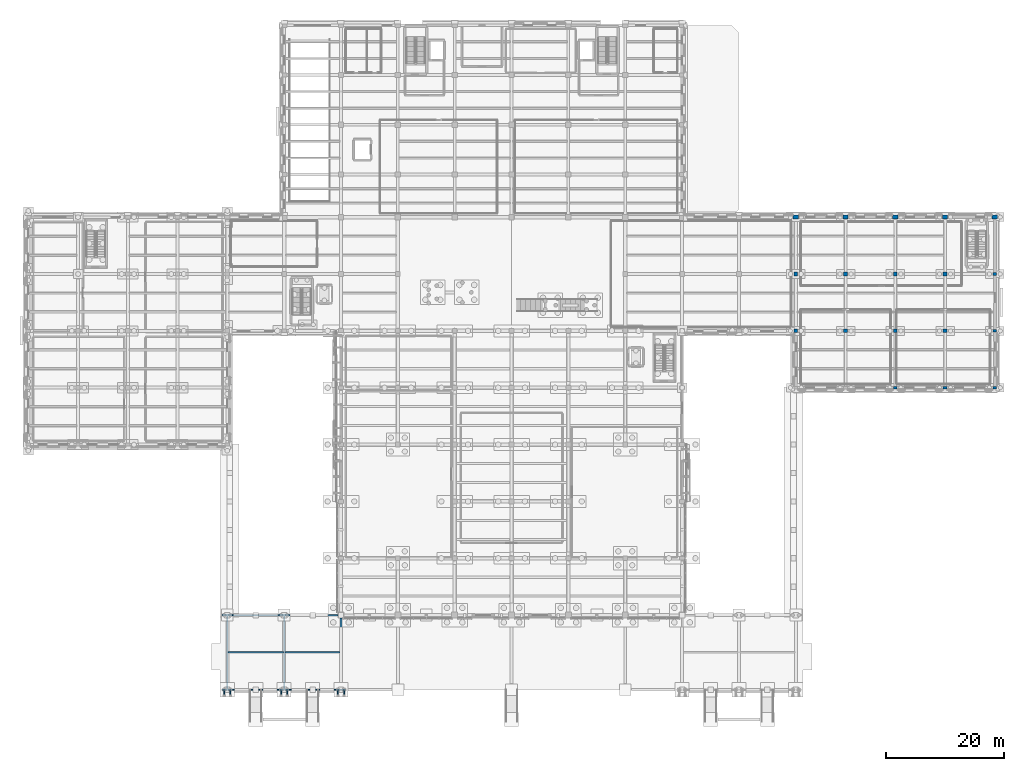
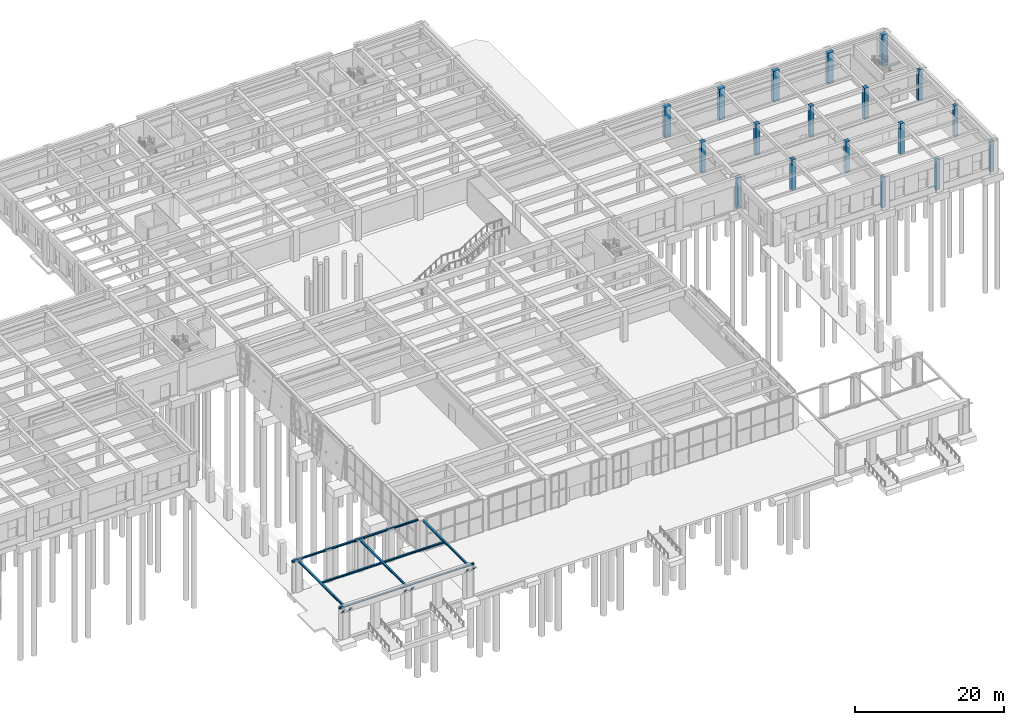
# One storey, part 11 of 51: 18 columns, 14 beams, 6 members.
"""IFC4 building model written with IfcOpenShell, lengths in metres."""

from ifc_helpers import new_model, si_unit, direction, frame, origin, origin_2d, place, context, subcontext, project, spatial, rectangle, hollow_circle, i_section, extrude, material, material_profile, profile_set, type_object, element, save


model = new_model("IFC4")

# Units and contexts
model_context = context("Model", 3, precision=1e-05, world=origin(), true_north=direction((0.0, 1.0)))
body_context = subcontext(model_context, "Body", "Model", "MODEL_VIEW")
ifc_project = project(units=[si_unit("LENGTHUNIT", "METRE"), si_unit("AREAUNIT", "SQUARE_METRE"), si_unit("VOLUMEUNIT", "CUBIC_METRE"), si_unit("PLANEANGLEUNIT", "RADIAN"), si_unit("MASSUNIT", "GRAM", prefix="KILO")], contexts=[model_context])

# Site, building, storey
site_placement = place(None, origin())
site = spatial("IfcSite", under=ifc_project, at=site_placement, CompositionType="ELEMENT")
building_placement = place(site_placement, origin())
building = spatial("IfcBuilding", under=site, at=building_placement, Name="Bempovik Park Faculty of Sciences", CompositionType="ELEMENT")
storey_placement = place(building_placement, origin())
storey = spatial("IfcBuildingStorey", under=building, at=storey_placement, Name="L00", CompositionType="ELEMENT", Elevation=0.0)

# Columns
ifc_material_1 = material(Name="Concrete C40/50", Category="concrete")
ifc_material_profile_1 = material_profile(ifc_material_1, rectangle(XDim=0.89990234375, YDim=0.699951171875, at=origin_2d()), Name="RC 900x700")
ifc_profile_set_1 = profile_set([ifc_material_profile_1], Name="Concrete C40/50")
column_type_1 = type_object("IfcColumnType", Name="C-25 RC 900x700", PredefinedType="COLUMN", material=ifc_profile_set_1)
for number, where, z_axis, x_axis, name in (
    (1, (136.800048828125, 87.0, 0.0), (0.0, 0.0, 1.0), (1.0, 0.0, 0.0), "L00 Structural Column (136.8,87.0)"),
    (2, (145.199951171875, 87.0, 0.0), (0.0, 0.0, 1.0), (1.0, 0.0, 0.0), "L00 Structural Column (145.2,87.0)"),
    (3, (153.60009765625, 87.0, 0.0), (0.0, 0.0, 1.0), (1.0, 0.0, 0.0), "L00 Structural Column (153.6,87.0)"),
    (4, (162.0, 87.0, 0.0), (0.0, 0.0, 1.0), (1.0, 0.0, 0.0), "L00 Structural Column (162.0,87.0)"),
    (5, (170.39990234375, 87.0, 0.0), (0.0, 0.0, 1.0), (1.0, 0.0, 0.0), "L00 Structural Column (170.4,87.0)"),
):
    element("IfcColumn", number, at=place(storey_placement, frame(where, z_axis=z_axis, x_axis=x_axis)), inside=storey, type_object=column_type_1, Name=name, PredefinedType="COLUMN", context=body_context, shape_type="SweptSolid", body=[
        extrude(rectangle(XDim=0.89990234375, YDim=0.699951171875, at=origin_2d()), origin(), (0.0, 0.0, 1.0), 5.080078125),
    ])
ifc_material_2 = material(Name="Concrete C35/45", Category="concrete")
ifc_material_profile_2 = material_profile(ifc_material_2, rectangle(XDim=0.6201171875, YDim=0.6201171875, at=origin_2d()), Name="RC 620x620")
ifc_profile_set_2 = profile_set([ifc_material_profile_2], Name="Concrete C35/45")
column_type_2 = type_object("IfcColumnType", Name="C-31 RC 620x620", PredefinedType="COLUMN", material=ifc_profile_set_2)
for number, where, z_axis, x_axis, name in (
    (6, (136.800048828125, 67.800048828125, 0.0), (0.0, 0.0, 1.0), (1.0, 0.0, 0.0), "L00 Structural Column (136.8,67.8)"),
    (7, (136.800048828125, 77.39990234375, 0.0), (0.0, 0.0, 1.0), (1.0, 0.0, 0.0), "L00 Structural Column (136.8,77.4)"),
    (8, (145.199951171875, 67.800048828125, 0.0), (0.0, 0.0, 1.0), (1.0, 0.0, 0.0), "L00 Structural Column (145.2,67.8)"),
    (9, (145.199951171875, 77.39990234375, 0.0), (0.0, 0.0, 1.0), (1.0, 0.0, 0.0), "L00 Structural Column (145.2,77.4)"),
    (10, (153.60009765625, 67.800048828125, 0.0), (0.0, 0.0, 1.0), (1.0, 0.0, 0.0), "L00 Structural Column (153.6,67.8)"),
    (11, (153.60009765625, 77.39990234375, 0.0), (0.0, 0.0, 1.0), (1.0, 0.0, 0.0), "L00 Structural Column (153.6,77.4)"),
    (12, (162.0, 67.800048828125, 0.0), (0.0, 0.0, 1.0), (1.0, 0.0, 0.0), "L00 Structural Column (162.0,67.8)"),
    (13, (162.0, 77.39990234375, 0.0), (0.0, 0.0, 1.0), (1.0, 0.0, 0.0), "L00 Structural Column (162.0,77.4)"),
):
    element("IfcColumn", number, at=place(storey_placement, frame(where, z_axis=z_axis, x_axis=x_axis)), inside=storey, type_object=column_type_2, Name=name, PredefinedType="COLUMN", context=body_context, shape_type="SweptSolid", body=[
        extrude(rectangle(XDim=0.6201171875, YDim=0.6201171875, at=origin_2d()), origin(), (0.0, 0.0, 1.0), 5.080078125),
    ])
ifc_material_profile_3 = material_profile(ifc_material_2, rectangle(XDim=0.6201171875, YDim=0.4599609375, at=origin_2d()), Name="RC 620x460")
ifc_profile_set_3 = profile_set([ifc_material_profile_3], Name="Concrete C35/45")
column_type_3 = type_object("IfcColumnType", Name="C-59 RC 620x460", PredefinedType="COLUMN", material=ifc_profile_set_3)
for number, where, z_axis, x_axis, name in (
    (14, (153.60009765625, 58.199951171875, 0.0), (0.0, 0.0, 1.0), (1.0, 0.0, 0.0), "L00 Structural Column (153.6,58.2)"),
    (15, (162.0, 58.199951171875, 0.0), (0.0, 0.0, 1.0), (1.0, 0.0, 0.0), "L00 Structural Column (162.0,58.2)"),
    (16, (170.39990234375, 58.199951171875, 0.0), (0.0, 0.0, 1.0), (1.0, 0.0, 0.0), "L00 Structural Column (170.4,58.2)"),
    (17, (170.39990234375, 67.800048828125, 0.0), (0.0, 0.0, 1.0), (1.0, 0.0, 0.0), "L00 Structural Column (170.4,67.8)"),
    (18, (170.39990234375, 77.39990234375, 0.0), (0.0, 0.0, 1.0), (1.0, 0.0, 0.0), "L00 Structural Column (170.4,77.4)"),
):
    element("IfcColumn", number, at=place(storey_placement, frame(where, z_axis=z_axis, x_axis=x_axis)), inside=storey, type_object=column_type_3, Name=name, PredefinedType="COLUMN", context=body_context, shape_type="SweptSolid", body=[
        extrude(rectangle(XDim=0.6201171875, YDim=0.4599609375, at=origin_2d()), origin(), (0.0, 0.0, 1.0), 5.080078125),
    ])

# Beams
ifc_material_3 = material(Name="Steel S355", Category="steel")
ifc_material_profile_4 = material_profile(ifc_material_3, i_section(OverallWidth=0.300048828125, OverallDepth=0.31005859375, WebThickness=0.009033203125, FlangeThickness=0.015380859375, at=origin_2d()), Name="HEA 320")
ifc_profile_set_4 = profile_set([ifc_material_profile_4], Name="Steel S355")
beam_type_1 = type_object("IfcBeamType", Name="B-024 HEA 320", PredefinedType="BEAM", material=ifc_profile_set_4)
for number, where, z_axis, x_axis, name in (
    (19, (39.949951171875, 19.800048828125, 5.02490234375), (1.0, 0.0, 0.0), (0.0, 1.0, 0.0), "Colonnade Rear Cap Beam W-40.8"),
    (20, (49.550048828125, 19.800048828125, 5.02490234375), (1.0, 0.0, 0.0), (0.0, 1.0, 0.0), "Colonnade Rear Cap Beam W-50.4"),
):
    element("IfcBeam", number, at=place(storey_placement, frame(where, z_axis=z_axis, x_axis=x_axis)), inside=storey, type_object=beam_type_1, Name=name, PredefinedType="BEAM", context=body_context, shape_type="SweptSolid", body=[
        extrude(i_section(OverallWidth=0.300048828125, OverallDepth=0.31005859375, WebThickness=0.009033203125, FlangeThickness=0.015380859375, at=origin_2d()), origin(), (0.0, 0.0, 1.0), 1.699951171875),
    ])
ifc_material_profile_5 = material_profile(ifc_material_3, i_section(OverallWidth=0.135009765625, OverallDepth=0.27001953125, WebThickness=0.006591796875, FlangeThickness=0.01025390625, at=origin_2d()), Name="IPE 270")
ifc_profile_set_5 = profile_set([ifc_material_profile_5], Name="Steel S355")
beam_type_2 = type_object("IfcBeamType", Name="B-036 IPE 270", PredefinedType="SPANDREL", material=ifc_profile_set_5)
for number, where, z_axis, x_axis, name in (
    (21, (41.656005859375, 7.199951171875, 5.044921875), (1.0, 0.0, 0.0), (0.0, 1.0, 0.0), "Colonnade Beam X W (40.8-50.4)"),
    (22, (51.256103515625, 7.199951171875, 5.044921875), (1.0, 0.0, 0.0), (0.0, 1.0, 0.0), "Colonnade Beam X W (50.4-60.0)"),
):
    element("IfcBeam", number, at=place(storey_placement, frame(where, z_axis=z_axis, x_axis=x_axis)), inside=storey, type_object=beam_type_2, Name=name, PredefinedType="SPANDREL", context=body_context, shape_type="SweptSolid", body=[
        extrude(i_section(OverallWidth=0.135009765625, OverallDepth=0.27001953125, WebThickness=0.006591796875, FlangeThickness=0.01025390625, at=origin_2d()), origin(), (0.0, 0.0, 1.0), 7.887939453125),
    ])
ifc_material_profile_6 = material_profile(ifc_material_3, i_section(OverallWidth=0.260009765625, OverallDepth=0.25, WebThickness=0.007568359375, FlangeThickness=0.012451171875, at=origin_2d()), Name="HEA 260")
ifc_profile_set_6 = profile_set([ifc_material_profile_6], Name="Steel S355")
beam_type_3 = type_object("IfcBeamType", Name="B-082 HEA 260", PredefinedType="BEAM", material=ifc_profile_set_6)
for number, where, z_axis, x_axis, name in (
    (23, (40.800048828125, 7.3359375, 5.054931640625), (0.0, 1.0, 0.0), (-1.0, 0.0, 0.0), "Colonnade Canopy Beam Y W-40.8"),
    (24, (50.39990234375, 7.3359375, 5.054931640625), (0.0, 1.0, 0.0), (-1.0, 0.0, 0.0), "Colonnade Canopy Beam Y W-50.4"),
):
    element("IfcBeam", number, at=place(storey_placement, frame(where, z_axis=z_axis, x_axis=x_axis)), inside=storey, type_object=beam_type_3, Name=name, PredefinedType="BEAM", context=body_context, shape_type="SweptSolid", body=[
        extrude(i_section(OverallWidth=0.260009765625, OverallDepth=0.25, WebThickness=0.007568359375, FlangeThickness=0.012451171875, at=origin_2d()), origin(), (0.0, 0.0, 1.0), 12.328125),
    ])
beam_1_placement = place(storey_placement, frame((60.0, 7.3359375, 5.054931640625), z_axis=(0.0, 1.0, 0.0), x_axis=(-1.0, 0.0, 0.0)))
element("IfcBeam", 25, at=beam_1_placement, inside=storey, type_object=beam_type_3, Name="Colonnade Canopy Beam Y W-60.0", PredefinedType="BEAM", context=body_context, shape_type="SweptSolid", body=[
    extrude(i_section(OverallWidth=0.260009765625, OverallDepth=0.25, WebThickness=0.007568359375, FlangeThickness=0.012451171875, at=origin_2d()), origin(), (0.0, 0.0, 1.0), 11.9580078125),
])
beam_2_placement = place(storey_placement, frame((40.93603515625, 13.5, 5.054931640625), z_axis=(1.0, 0.0, 0.0), x_axis=(0.0, 1.0, 0.0)))
element("IfcBeam", 26, at=beam_2_placement, inside=storey, type_object=beam_type_3, Name="Colonnade Beam X W (40.8-50.4)", PredefinedType="BEAM", context=body_context, shape_type="SweptSolid", body=[
    extrude(i_section(OverallWidth=0.260009765625, OverallDepth=0.25, WebThickness=0.007568359375, FlangeThickness=0.012451171875, at=origin_2d()), origin(), (0.0, 0.0, 1.0), 9.327880859375),
])
beam_3_placement = place(storey_placement, frame((41.656005859375, 19.800048828125, 5.054931640625), z_axis=(1.0, 0.0, 0.0), x_axis=(0.0, 1.0, 0.0)))
element("IfcBeam", 27, at=beam_3_placement, inside=storey, type_object=beam_type_3, Name="Colonnade Beam X W (40.8-50.4)", PredefinedType="BEAM", context=body_context, shape_type="SweptSolid", body=[
    extrude(i_section(OverallWidth=0.260009765625, OverallDepth=0.25, WebThickness=0.007568359375, FlangeThickness=0.012451171875, at=origin_2d()), origin(), (0.0, 0.0, 1.0), 7.887939453125),
])
beam_4_placement = place(storey_placement, frame((50.535888671875, 13.5, 5.054931640625), z_axis=(1.0, 0.0, 0.0), x_axis=(0.0, 1.0, 0.0)))
element("IfcBeam", 28, at=beam_4_placement, inside=storey, type_object=beam_type_3, Name="Colonnade Beam X W (50.4-60.0)", PredefinedType="BEAM", context=body_context, shape_type="SweptSolid", body=[
    extrude(i_section(OverallWidth=0.260009765625, OverallDepth=0.25, WebThickness=0.007568359375, FlangeThickness=0.012451171875, at=origin_2d()), origin(), (0.0, 0.0, 1.0), 9.328125),
])
beam_5_placement = place(storey_placement, frame((51.256103515625, 19.800048828125, 5.054931640625), z_axis=(1.0, 0.0, 0.0), x_axis=(0.0, 1.0, 0.0)))
element("IfcBeam", 29, at=beam_5_placement, inside=storey, type_object=beam_type_3, Name="Colonnade Beam X W (50.4-60.0)", PredefinedType="BEAM", context=body_context, shape_type="SweptSolid", body=[
    extrude(i_section(OverallWidth=0.260009765625, OverallDepth=0.25, WebThickness=0.007568359375, FlangeThickness=0.012451171875, at=origin_2d()), origin(), (0.0, 0.0, 1.0), 8.23779296875),
])
ifc_material_profile_7 = material_profile(ifc_material_3, i_section(OverallWidth=0.280029296875, OverallDepth=0.27001953125, WebThickness=0.008056640625, FlangeThickness=0.012939453125, at=origin_2d()), Name="HEA 280")
ifc_profile_set_7 = profile_set([ifc_material_profile_7], Name="Steel S355")
beam_type_4 = type_object("IfcBeamType", Name="B-098 HEA 280", PredefinedType="BEAM", material=ifc_profile_set_7)
for number, where, z_axis, x_axis, name in (
    (30, (39.949951171875, 7.199951171875, 5.044921875), (1.0, 0.0, 0.0), (0.0, 1.0, 0.0), "Colonnade Pier Cap Beam W-40.8"),
    (31, (49.550048828125, 7.199951171875, 5.044921875), (1.0, 0.0, 0.0), (0.0, 1.0, 0.0), "Colonnade Pier Cap Beam W-50.4"),
):
    element("IfcBeam", number, at=place(storey_placement, frame(where, z_axis=z_axis, x_axis=x_axis)), inside=storey, type_object=beam_type_4, Name=name, PredefinedType="BEAM", context=body_context, shape_type="SweptSolid", body=[
        extrude(i_section(OverallWidth=0.280029296875, OverallDepth=0.27001953125, WebThickness=0.008056640625, FlangeThickness=0.012939453125, at=origin_2d()), origin(), (0.0, 0.0, 1.0), 1.699951171875),
    ])
beam_6_placement = place(storey_placement, frame((59.14990234375, 7.199951171875, 5.044921875), z_axis=(1.0, 0.0, 0.0), x_axis=(0.0, 1.0, 0.0)))
element("IfcBeam", 32, at=beam_6_placement, inside=storey, type_object=beam_type_4, Name="Colonnade Pier Cap Beam W-60.0", PredefinedType="BEAM", context=body_context, shape_type="SweptSolid", body=[
    extrude(i_section(OverallWidth=0.280029296875, OverallDepth=0.27001953125, WebThickness=0.008056640625, FlangeThickness=0.012939453125, at=origin_2d()), origin(), (0.0, 0.0, 1.0), 1.7001953125),
])

# Members
ifc_material_profile_8 = material_profile(ifc_material_3, hollow_circle(Radius=0.084228515625, WallThickness=0.008056640625, at=origin_2d()), Name="CHS 168.3x8")
ifc_profile_set_8 = profile_set([ifc_material_profile_8], Name="Steel S355")
member_type = type_object("IfcMemberType", Name="M-51 CHS 168.3x8", PredefinedType="STRUT", material=ifc_profile_set_8)
for number, where, z_axis, x_axis, name in (
    (33, (40.280029296875, 7.199951171875, 4.10009765625), (0.0, -0.686283985267, 0.727333686534), (1.0, 0.0, 0.0), "Colonnade Overhang Strut 40.8-W"),
    (34, (41.320068359375, 7.199951171875, 4.10009765625), (0.0, -0.686283985267, 0.727333686534), (1.0, 0.0, 0.0), "Colonnade Overhang Strut 40.8-E"),
    (35, (49.8798828125, 7.199951171875, 4.10009765625), (0.0, -0.686283985267, 0.727333686534), (1.0, 0.0, 0.0), "Colonnade Overhang Strut 50.4-W"),
    (36, (50.919921875, 7.199951171875, 4.10009765625), (0.0, -0.686283985267, 0.727333686534), (1.0, 0.0, 0.0), "Colonnade Overhang Strut 50.4-E"),
    (37, (59.47998046875, 7.199951171875, 4.10009765625), (0.0, -0.686283985267, 0.727333686534), (1.0, 0.0, 0.0), "Colonnade Overhang Strut 60.0-W"),
    (38, (60.52001953125, 7.199951171875, 4.10009765625), (0.0, -0.686283985267, 0.727333686534), (1.0, 0.0, 0.0), "Colonnade Overhang Strut 60.0-E"),
):
    element("IfcMember", number, at=place(storey_placement, frame(where, z_axis=z_axis, x_axis=x_axis)), inside=storey, type_object=member_type, Name=name, PredefinedType="STRUT", context=body_context, shape_type="SweptSolid", body=[
        extrude(hollow_circle(Radius=0.084228515625, WallThickness=0.008056640625, at=origin_2d()), origin(), (0.0, 0.0, 1.0), 1.45703125),
    ])

save(model, "model.ifc")
